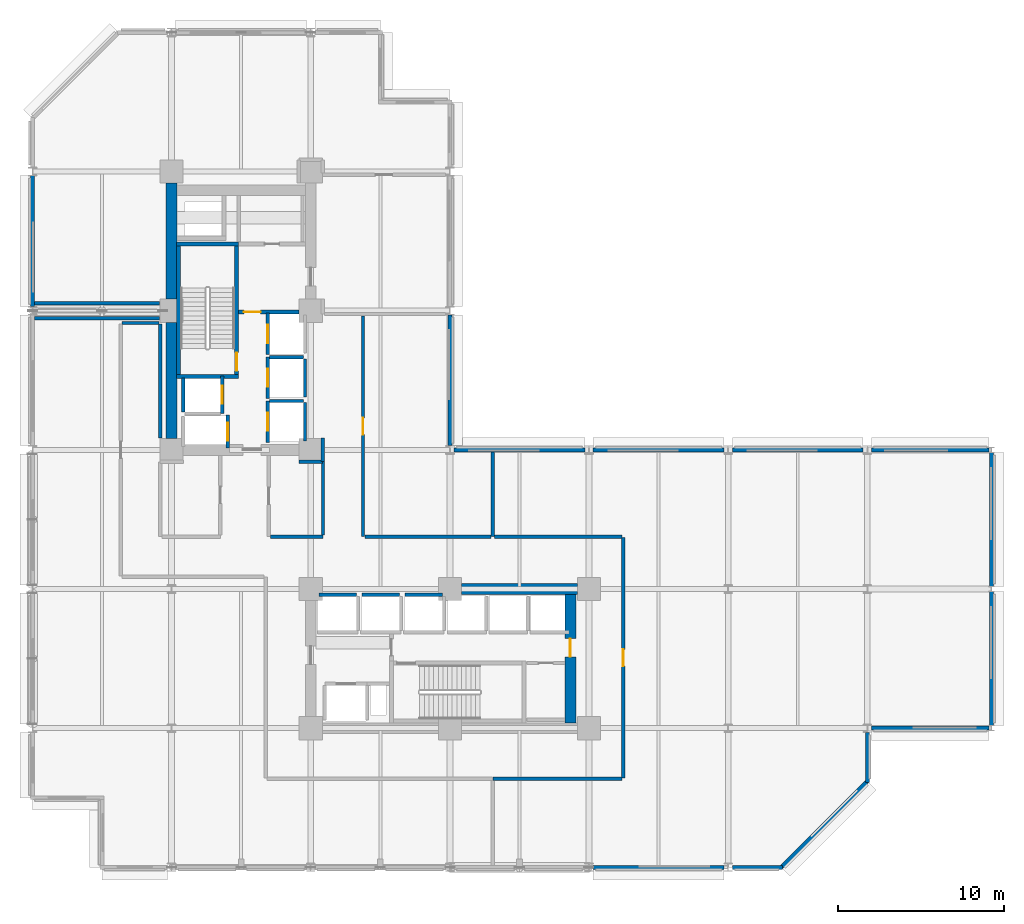
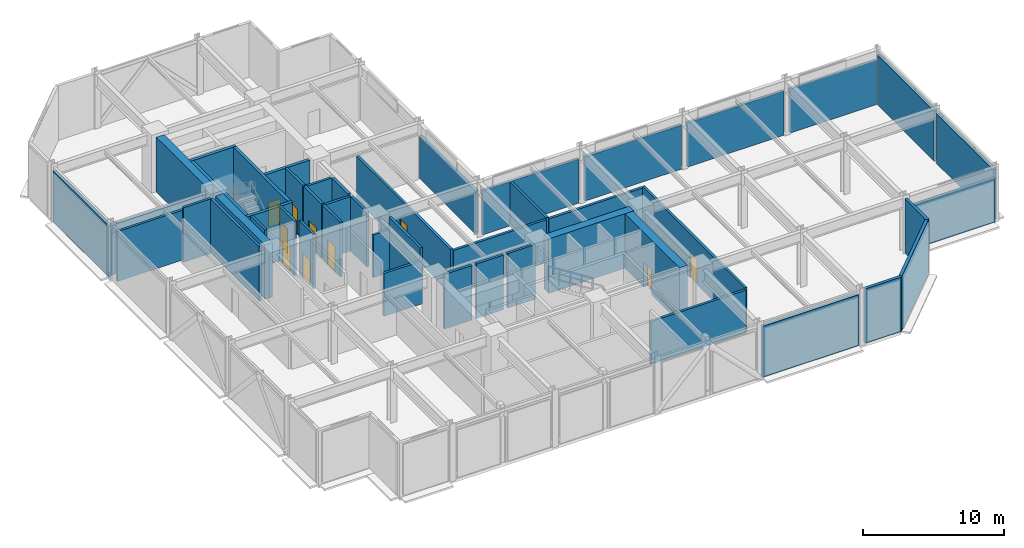
# One storey, part 8 of 13: 49 walls, 10 doors, 10 openings.
"""IFC4 building model written with IfcOpenShell, lengths in metres."""

from ifc_helpers import new_model, si_unit, direction, frame, frame_2d, origin, place, context, subcontext, project, spatial, rectangle, extrude, material, layer, layer_set, type_object, element, fill, save


model = new_model("IFC4")

# Units and contexts
model_context = context("Model", 3, precision=1e-05, world=origin(), true_north=direction((0.0, 1.0)))
body_context = subcontext(model_context, "Body", "Model", "MODEL_VIEW")
ifc_project = project(units=[si_unit("LENGTHUNIT", "METRE"), si_unit("AREAUNIT", "SQUARE_METRE"), si_unit("VOLUMEUNIT", "CUBIC_METRE"), si_unit("PLANEANGLEUNIT", "RADIAN"), si_unit("MASSUNIT", "GRAM", prefix="KILO")], contexts=[model_context])

# Site, building, storey
site_placement = place(None, origin())
site = spatial("IfcSite", under=ifc_project, at=site_placement, CompositionType="ELEMENT")
building_placement = place(site_placement, origin())
building = spatial("IfcBuilding", under=site, at=building_placement, Name="Nerrivon Quay Data Exchange", CompositionType="ELEMENT")
storey_placement = place(building_placement, frame((0.0, 0.0, 79.39990234375)))
storey = spatial("IfcBuildingStorey", under=building, at=storey_placement, Name="L18", CompositionType="ELEMENT", Elevation=79.39990234375)

# Walls
ifc_material_1 = material(Name="Architectural terracotta precast concrete N50 (50 MPa)", Category="masonry")
ifc_layer_1 = layer(ifc_material_1, 0.239990234375)
ifc_layer_set_1 = layer_set([ifc_layer_1], Name="Architectural terracotta precast concrete N50 (50 MPa)")
wall_type_1 = type_object("IfcWallType", Name="EW-PREC-240", PredefinedType="STANDARD", material=ifc_layer_set_1)
wall_1_placement = place(storey_placement, frame((57.89990234375, 25.03662109375, 0.0), z_axis=(0.0, 0.0, 1.0), x_axis=(0.0, -1.0, 0.0)))
element("IfcWall", 1, at=wall_1_placement, inside=storey, type_object=wall_type_1, Name="L18 Plant Enclosure Wall 1", PredefinedType="STANDARD", context=body_context, shape_type="SweptSolid", body=[
    extrude(rectangle(XDim=8.0732421875, YDim=0.239990234375, at=frame_2d((4.03662109375, 0.0))), origin(), (0.0, 0.0, 1.0), 4.322021484375),
])
wall_2_placement = place(storey_placement, frame((57.89990234375, 16.636474609375, 0.0), z_axis=(0.0, 0.0, 1.0), x_axis=(0.0, -1.0, 0.0)))
element("IfcWall", 2, at=wall_2_placement, inside=storey, type_object=wall_type_1, Name="L18 Plant Enclosure Wall 2", PredefinedType="STANDARD", context=body_context, shape_type="SweptSolid", body=[
    extrude(rectangle(XDim=8.072998046875, YDim=0.239990234375, at=frame_2d((4.03662109375, 0.0))), origin(), (0.0, 0.0, 1.0), 4.322021484375),
])
wall_3_placement = place(storey_placement, frame((57.744384765625, 8.39990234375, 0.0), z_axis=(0.0, 0.0, 1.0), x_axis=(-1.0, 0.0, 0.0)))
element("IfcWall", 3, at=wall_3_placement, inside=storey, type_object=wall_type_1, Name="L18 Plant Enclosure Wall 3", PredefinedType="STANDARD", context=body_context, shape_type="SweptSolid", body=[
    extrude(rectangle(XDim=7.094482421875, YDim=0.239990234375, at=frame_2d((3.54736328125, 0.0))), origin(), (0.0, 0.0, 1.0), 3.815185546875),
])
wall_4_placement = place(storey_placement, frame((50.39990234375, 8.14990234375, 0.0), z_axis=(0.0, 0.0, 1.0), x_axis=(0.0, -1.0, 0.0)))
element("IfcWall", 4, at=wall_4_placement, inside=storey, type_object=wall_type_1, Name="L18 Plant Enclosure Wall 4", PredefinedType="STANDARD", context=body_context, shape_type="SweptSolid", body=[
    extrude(rectangle(XDim=3.024658203125, YDim=0.239990234375, at=frame_2d((1.51220703125, 0.0))), origin(), (0.0, 0.0, 1.0), 4.72509765625),
])
wall_5_placement = place(storey_placement, frame((50.452880859375, 5.252685546875, 0.0), z_axis=(0.0, 0.0, 1.0), x_axis=(-0.707123050166, -0.707090511833, 0.0)))
element("IfcWall", 5, at=wall_5_placement, inside=storey, type_object=wall_type_1, Name="L18 Plant Enclosure Wall 5", PredefinedType="STANDARD", context=body_context, shape_type="SweptSolid", body=[
    extrude(rectangle(XDim=7.503173828125, YDim=0.239990234375, at=frame_2d((3.75146484375, 0.0))), origin(), (0.0, 0.0, 1.0), 4.72509765625),
])
wall_6_placement = place(storey_placement, frame((45.274658203125, 0.0, 0.0), z_axis=(0.0, 0.0, 1.0), x_axis=(-1.0, 0.0, 0.0)))
element("IfcWall", 6, at=wall_6_placement, inside=storey, type_object=wall_type_1, Name="L18 Plant Enclosure Wall 6", PredefinedType="STANDARD", context=body_context, shape_type="SweptSolid", body=[
    extrude(rectangle(XDim=3.024658203125, YDim=0.239990234375, at=frame_2d((1.51220703125, 0.0))), origin(), (0.0, 0.0, 1.0), 4.72509765625),
])
for number, where, z_axis, x_axis, name in (
    (7, (41.75, 0.0, 0.0), (0.0, 0.0, 1.0), (-1.0, 0.0, 0.0), "L18 Plant Enclosure Wall 7"),
    (8, (0.0, 33.85009765625, 0.0), (0.0, 0.0, 1.0), (0.0, 1.0, 0.0), "L18 Plant Enclosure Wall 21"),
):
    element("IfcWall", number, at=place(storey_placement, frame(where, z_axis=z_axis, x_axis=x_axis)), inside=storey, type_object=wall_type_1, Name=name, PredefinedType="STANDARD", context=body_context, shape_type="SweptSolid", body=[
        extrude(rectangle(XDim=7.89990234375, YDim=0.239990234375, at=frame_2d((3.949951171875, 0.0))), origin(), (0.0, 0.0, 1.0), 4.425048828125),
    ])
wall_7_placement = place(storey_placement, frame((25.199951171875, 33.35009765625, 0.0), z_axis=(0.0, 0.0, 1.0), x_axis=(0.0, -1.0, 0.0)))
element("IfcWall", 9, at=wall_7_placement, inside=storey, type_object=wall_type_1, Name="L18 Plant Enclosure Wall 31", PredefinedType="STANDARD", context=body_context, shape_type="SweptSolid", body=[
    extrude(rectangle(XDim=7.900146484375, YDim=0.239990234375, at=frame_2d((3.9501953125, 0.0))), origin(), (0.0, 0.0, 1.0), 3.708984375),
])
wall_8_placement = place(storey_placement, frame((25.449951171875, 25.199951171875, 0.0), z_axis=(0.0, 0.0, 1.0), x_axis=(1.0, 0.0, 0.0)))
element("IfcWall", 10, at=wall_8_placement, inside=storey, type_object=wall_type_1, Name="L18 Plant Enclosure Wall 32", PredefinedType="STANDARD", context=body_context, shape_type="SweptSolid", body=[
    extrude(rectangle(XDim=7.900146484375, YDim=0.239990234375, at=frame_2d((3.9501953125, 0.0))), origin(), (0.0, 0.0, 1.0), 3.8251953125),
])
for number, where, z_axis, x_axis, name in (
    (11, (33.85009765625, 25.199951171875, 0.0), (0.0, 0.0, 1.0), (1.0, 0.0, 0.0), "L18 Plant Enclosure Wall 33"),
    (12, (42.25, 25.199951171875, 0.0), (0.0, 0.0, 1.0), (1.0, 0.0, 0.0), "L18 Plant Enclosure Wall 34"),
):
    element("IfcWall", number, at=place(storey_placement, frame(where, z_axis=z_axis, x_axis=x_axis)), inside=storey, type_object=wall_type_1, Name=name, PredefinedType="STANDARD", context=body_context, shape_type="SweptSolid", body=[
        extrude(rectangle(XDim=7.89990234375, YDim=0.239990234375, at=frame_2d((3.949951171875, 0.0))), origin(), (0.0, 0.0, 1.0), 3.8251953125),
    ])
wall_9_placement = place(storey_placement, frame((50.64990234375, 25.199951171875, 0.0), z_axis=(0.0, 0.0, 1.0), x_axis=(1.0, 0.0, 0.0)))
element("IfcWall", 13, at=wall_9_placement, inside=storey, type_object=wall_type_1, Name="L18 Plant Enclosure Wall 35", PredefinedType="STANDARD", context=body_context, shape_type="SweptSolid", body=[
    extrude(rectangle(XDim=7.094482421875, YDim=0.239990234375, at=frame_2d((3.54736328125, 0.0))), origin(), (0.0, 0.0, 1.0), 3.815185546875),
])
ifc_material_2 = material(Name="Concrete N80 (80 MPa)", Category="concrete")
ifc_layer_2 = layer(ifc_material_2, 0.64990234375)
ifc_layer_set_2 = layer_set([ifc_layer_2], Name="Concrete N80 (80 MPa)")
wall_type_2 = type_object("IfcWallType", Name="WALL-CW-850", PredefinedType="SHEAR", material=ifc_layer_set_2)
for number, where, z_axis, x_axis, name in (
    (14, (8.39990234375, 25.89990234375, 0.0), (0.0, 0.0, 1.0), (0.0, 1.0, 0.0), "L18 West Split-Core Shear Wall WCW-W1"),
    (15, (8.39990234375, 34.300048828125, 0.0), (0.0, 0.0, 1.0), (0.0, 1.0, 0.0), "L18 West Split-Core Shear Wall WCW-W2"),
):
    element("IfcWall", number, at=place(storey_placement, frame(where, z_axis=z_axis, x_axis=x_axis)), inside=storey, type_object=wall_type_2, Name=name, PredefinedType="SHEAR", context=body_context, shape_type="SweptSolid", body=[
        extrude(rectangle(XDim=7.0, YDim=0.64990234375, at=frame_2d((3.5, 0.0))), origin(), (0.0, 0.0, 1.0), 4.72509765625),
    ])

# Wall, opening, door
wall_10_placement = place(storey_placement, frame((32.47509765625, 8.72509765625, 0.0), z_axis=(0.0, 0.0, 1.0), x_axis=(0.0, 1.0, 0.0)))
wall_10 = element("IfcWall", 16, at=wall_10_placement, inside=storey, type_object=wall_type_2, Name="L18 East Split-Core Shear Wall ECW-E1", PredefinedType="SHEAR", context=body_context, shape_type="SweptSolid", body=[
    extrude(rectangle(XDim=7.75, YDim=0.64990234375, at=frame_2d((3.875, 0.0))), origin(), (0.0, 0.0, 1.0), 4.72509765625),
])
opening_1_placement = place(wall_10_placement, frame((3.97509765625, 0.0, 0.0)))
opening_1 = element("IfcOpeningElement", 17, at=opening_1_placement, cuts=wall_10, Name="Opening FD-120", PredefinedType="OPENING", context=body_context, shape_type="SweptSolid", body=[
    extrude(rectangle(XDim=1.10009765625, YDim=2.14990234375, at=frame_2d((0.550048828125, 1.074951171875))), frame((0.0, 0.3349609375, 0.0), z_axis=(0.0, -1.0, 0.0), x_axis=(1.0, 0.0, 0.0)), (0.0, 0.0, 1.0), 0.669921875),
])
ifc_material_3 = material(Name="Powder-coated galvanized steel sheet", Category="steel")
door_type_1 = type_object("IfcDoorType", Name="DR-FD120-1100", OperationType="NOTDEFINED", PredefinedType="DOOR", material=ifc_material_3)
door_1_placement = place(opening_1_placement, origin())
door_1 = element("IfcDoor", 18, at=door_1_placement, inside=storey, type_object=door_type_1, Name="L18 East Core Lobby Fire Door", OperationType="SINGLE_SWING_RIGHT", OverallHeight=2.14990234375, OverallWidth=1.10009765625, PredefinedType="DOOR", context=body_context, shape_type="SweptSolid", body=[
    extrude(rectangle(XDim=1.10009765625, YDim=2.14990234375, at=frame_2d((0.550048828125, 1.074951171875))), frame((0.0, 0.02490234375, 0.0), z_axis=(0.0, -1.0, 0.0), x_axis=(1.0, 0.0, 0.0)), (0.0, 0.0, 1.0), 0.050048828125),
])
fill(opening_1, door_1)

# Wall
wall_11_placement = place(storey_placement, frame((25.89990234375, 16.800048828125, 0.0), z_axis=(0.0, 0.0, 1.0), x_axis=(1.0, 0.0, 0.0)))
element("IfcWall", 19, at=wall_11_placement, inside=storey, type_object=wall_type_2, Name="L18 East Split-Core Shear Wall ECW-N1", PredefinedType="SHEAR", context=body_context, shape_type="SweptSolid", body=[
    extrude(rectangle(XDim=7.0, YDim=0.64990234375, at=frame_2d((3.5, 0.0))), origin(), (0.0, 0.0, 1.0), 4.72509765625),
])

# Wall, opening, door
ifc_material_4 = material(Name="Gypsum plasterboard on cold-formed framing", Category="gypsum")
ifc_layer_3 = layer(ifc_material_4, 0.199951171875)
ifc_layer_set_3 = layer_set([ifc_layer_3], Name="Gypsum plasterboard on cold-formed framing")
wall_type_3 = type_object("IfcWallType", Name="WALL-FW-200", PredefinedType="PARTITIONING", material=ifc_layer_set_3)
wall_12_placement = place(storey_placement, frame((11.449951171875, 27.39990234375, 0.0), z_axis=(0.0, 0.0, 1.0), x_axis=(0.0, 1.0, 0.0)))
wall_12 = element("IfcWall", 20, at=wall_12_placement, inside=storey, type_object=wall_type_3, Name="L18 Lift Front Wall FFL-1", PredefinedType="PARTITIONING", context=body_context, shape_type="SweptSolid", body=[
    extrude(rectangle(XDim=2.25, YDim=0.199951171875, at=frame_2d((1.125, 0.0))), origin(), (0.0, 0.0, 1.0), 4.72509765625),
])
opening_2_placement = place(wall_12_placement, frame((0.574951171875, 0.0, 0.0)))
opening_2 = element("IfcOpeningElement", 21, at=opening_2_placement, cuts=wall_12, Name="Opening LD-120", PredefinedType="OPENING", context=body_context, shape_type="SweptSolid", body=[
    extrude(rectangle(XDim=1.10009765625, YDim=2.199951171875, at=frame_2d((0.550048828125, 1.10009765625))), frame((0.0, 0.10986328125, 0.0), z_axis=(0.0, -1.0, 0.0), x_axis=(1.0, 0.0, 0.0)), (0.0, 0.0, 1.0), 0.219970703125),
])
door_type_2 = type_object("IfcDoorType", Name="DR-LIFT-LD120", OperationType="DOUBLE_DOOR_SLIDING", PredefinedType="DOOR", material=ifc_material_3)
door_2_placement = place(opening_2_placement, origin())
door_2 = element("IfcDoor", 22, at=door_2_placement, inside=storey, type_object=door_type_2, Name="L18 Lift Landing Sliding Door FFL-1", OperationType="DOUBLE_DOOR_SLIDING", OverallHeight=2.199951171875, OverallWidth=1.10009765625, PredefinedType="DOOR", context=body_context, shape_type="SweptSolid", body=[
    extrude(rectangle(XDim=1.10009765625, YDim=2.199951171875, at=frame_2d((0.550048828125, 1.10009765625))), frame((0.0, 0.02490234375, 0.0), z_axis=(0.0, -1.0, 0.0), x_axis=(1.0, 0.0, 0.0)), (0.0, 0.0, 1.0), 0.050048828125),
])
fill(opening_2, door_2)

# Wall
wall_13_placement = place(storey_placement, frame((9.10009765625, 27.5, 0.0), z_axis=(0.0, 0.0, 1.0), x_axis=(0.0, 1.0, 0.0)))
element("IfcWall", 23, at=wall_13_placement, inside=storey, type_object=wall_type_3, Name="L18 Lift Shaft Wall FFL-1 WEST", PredefinedType="PARTITIONING", context=body_context, shape_type="SweptSolid", body=[
    extrude(rectangle(XDim=2.050048828125, YDim=0.199951171875, at=frame_2d((1.02490234375, 0.0))), origin(), (0.0, 0.0, 1.0), 4.72509765625),
])

# Wall, opening, door
wall_14_placement = place(storey_placement, frame((11.800048828125, 25.300048828125, 0.0), z_axis=(0.0, 0.0, 1.0), x_axis=(0.0, 1.0, 0.0)))
wall_14 = element("IfcWall", 24, at=wall_14_placement, inside=storey, type_object=wall_type_3, Name="L18 Lift Front Wall SVL-1", PredefinedType="PARTITIONING", context=body_context, shape_type="SweptSolid", body=[
    extrude(rectangle(XDim=2.0, YDim=0.199951171875, at=frame_2d((1.0, 0.0))), origin(), (0.0, 0.0, 1.0), 4.72509765625),
])
opening_3_placement = place(wall_14_placement, frame((0.449951171875, 0.0, 0.0)))
opening_3 = element("IfcOpeningElement", 25, at=opening_3_placement, cuts=wall_14, Name="Opening LD-120", PredefinedType="OPENING", context=body_context, shape_type="SweptSolid", body=[
    extrude(rectangle(XDim=1.10009765625, YDim=2.199951171875, at=frame_2d((0.550048828125, 1.10009765625))), frame((0.0, 0.10986328125, 0.0), z_axis=(0.0, -1.0, 0.0), x_axis=(1.0, 0.0, 0.0)), (0.0, 0.0, 1.0), 0.219970703125),
])
door_3_placement = place(opening_3_placement, origin())
door_3 = element("IfcDoor", 26, at=door_3_placement, inside=storey, type_object=door_type_2, Name="L18 Lift Landing Sliding Door SVL-1", OperationType="DOUBLE_DOOR_SLIDING", OverallHeight=2.199951171875, OverallWidth=1.10009765625, PredefinedType="DOOR", context=body_context, shape_type="SweptSolid", body=[
    extrude(rectangle(XDim=1.10009765625, YDim=2.199951171875, at=frame_2d((0.550048828125, 1.10009765625))), frame((0.0, 0.02490234375, 0.0), z_axis=(0.0, -1.0, 0.0), x_axis=(1.0, 0.0, 0.0)), (0.0, 0.0, 1.0), 0.050048828125),
])
fill(opening_3, door_3)

wall_15_placement = place(storey_placement, frame((14.199951171875, 25.64990234375, 0.0), z_axis=(0.0, 0.0, 1.0), x_axis=(0.0, 1.0, 0.0)))
wall_15 = element("IfcWall", 27, at=wall_15_placement, inside=storey, type_object=wall_type_3, Name="L18 Lift Front Wall PL1", PredefinedType="PARTITIONING", context=body_context, shape_type="SweptSolid", body=[
    extrude(rectangle(XDim=2.5, YDim=0.199951171875, at=frame_2d((1.25, 0.0))), origin(), (0.0, 0.0, 1.0), 4.72509765625),
])
opening_4_placement = place(wall_15_placement, frame((0.699951171875, 0.0, 0.0)))
opening_4 = element("IfcOpeningElement", 28, at=opening_4_placement, cuts=wall_15, Name="Opening LD-120", PredefinedType="OPENING", context=body_context, shape_type="SweptSolid", body=[
    extrude(rectangle(XDim=1.10009765625, YDim=2.199951171875, at=frame_2d((0.550048828125, 1.10009765625))), frame((0.0, 0.10986328125, 0.0), z_axis=(0.0, -1.0, 0.0), x_axis=(1.0, 0.0, 0.0)), (0.0, 0.0, 1.0), 0.219970703125),
])
door_4_placement = place(opening_4_placement, origin())
door_4 = element("IfcDoor", 29, at=door_4_placement, inside=storey, type_object=door_type_2, Name="L18 Lift Landing Sliding Door PL1", OperationType="DOUBLE_DOOR_SLIDING", OverallHeight=2.199951171875, OverallWidth=1.10009765625, PredefinedType="DOOR", context=body_context, shape_type="SweptSolid", body=[
    extrude(rectangle(XDim=1.10009765625, YDim=2.199951171875, at=frame_2d((0.550048828125, 1.10009765625))), frame((0.0, 0.02490234375, 0.0), z_axis=(0.0, -1.0, 0.0), x_axis=(1.0, 0.0, 0.0)), (0.0, 0.0, 1.0), 0.050048828125),
])
fill(opening_4, door_4)

# Walls
wall_16_placement = place(storey_placement, frame((16.449951171875, 25.75, 0.0), z_axis=(0.0, 0.0, 1.0), x_axis=(0.0, 1.0, 0.0)))
element("IfcWall", 30, at=wall_16_placement, inside=storey, type_object=wall_type_3, Name="L18 Lift Shaft Wall PL1 EAST", PredefinedType="PARTITIONING", context=body_context, shape_type="SweptSolid", body=[
    extrude(rectangle(XDim=2.300048828125, YDim=0.199951171875, at=frame_2d((1.14990234375, 0.0))), origin(), (0.0, 0.0, 1.0), 4.72509765625),
])
wall_17_placement = place(storey_placement, frame((14.300048828125, 28.14990234375, 0.0), z_axis=(0.0, 0.0, 1.0), x_axis=(1.0, 0.0, 0.0)))
element("IfcWall", 31, at=wall_17_placement, inside=storey, type_object=wall_type_3, Name="L18 Lift Shaft Wall PL1 NORTH", PredefinedType="PARTITIONING", context=body_context, shape_type="SweptSolid", body=[
    extrude(rectangle(XDim=2.050048828125, YDim=0.199951171875, at=frame_2d((1.02490234375, 0.0))), origin(), (0.0, 0.0, 1.0), 4.72509765625),
])

# Wall, opening, door
wall_18_placement = place(storey_placement, frame((14.199951171875, 28.300048828125, 0.0), z_axis=(0.0, 0.0, 1.0), x_axis=(0.0, 1.0, 0.0)))
wall_18 = element("IfcWall", 32, at=wall_18_placement, inside=storey, type_object=wall_type_3, Name="L18 Lift Front Wall PL2", PredefinedType="PARTITIONING", context=body_context, shape_type="SweptSolid", body=[
    extrude(rectangle(XDim=2.5, YDim=0.199951171875, at=frame_2d((1.25, 0.0))), origin(), (0.0, 0.0, 1.0), 4.72509765625),
])
opening_5_placement = place(wall_18_placement, frame((0.699951171875, 0.0, 0.0)))
opening_5 = element("IfcOpeningElement", 33, at=opening_5_placement, cuts=wall_18, Name="Opening LD-120", PredefinedType="OPENING", context=body_context, shape_type="SweptSolid", body=[
    extrude(rectangle(XDim=1.10009765625, YDim=2.199951171875, at=frame_2d((0.550048828125, 1.10009765625))), frame((0.0, 0.10986328125, 0.0), z_axis=(0.0, -1.0, 0.0), x_axis=(1.0, 0.0, 0.0)), (0.0, 0.0, 1.0), 0.219970703125),
])
door_5_placement = place(opening_5_placement, origin())
door_5 = element("IfcDoor", 34, at=door_5_placement, inside=storey, type_object=door_type_2, Name="L18 Lift Landing Sliding Door PL2", OperationType="DOUBLE_DOOR_SLIDING", OverallHeight=2.199951171875, OverallWidth=1.10009765625, PredefinedType="DOOR", context=body_context, shape_type="SweptSolid", body=[
    extrude(rectangle(XDim=1.10009765625, YDim=2.199951171875, at=frame_2d((0.550048828125, 1.10009765625))), frame((0.0, 0.02490234375, 0.0), z_axis=(0.0, -1.0, 0.0), x_axis=(1.0, 0.0, 0.0)), (0.0, 0.0, 1.0), 0.050048828125),
])
fill(opening_5, door_5)

# Walls
wall_19_placement = place(storey_placement, frame((16.449951171875, 28.39990234375, 0.0), z_axis=(0.0, 0.0, 1.0), x_axis=(0.0, 1.0, 0.0)))
element("IfcWall", 35, at=wall_19_placement, inside=storey, type_object=wall_type_3, Name="L18 Lift Shaft Wall PL2 EAST", PredefinedType="PARTITIONING", context=body_context, shape_type="SweptSolid", body=[
    extrude(rectangle(XDim=2.300048828125, YDim=0.199951171875, at=frame_2d((1.14990234375, 0.0))), origin(), (0.0, 0.0, 1.0), 4.72509765625),
])
wall_20_placement = place(storey_placement, frame((14.300048828125, 30.800048828125, 0.0), z_axis=(0.0, 0.0, 1.0), x_axis=(1.0, 0.0, 0.0)))
element("IfcWall", 36, at=wall_20_placement, inside=storey, type_object=wall_type_3, Name="L18 Lift Shaft Wall PL2 NORTH", PredefinedType="PARTITIONING", context=body_context, shape_type="SweptSolid", body=[
    extrude(rectangle(XDim=2.050048828125, YDim=0.199951171875, at=frame_2d((1.02490234375, 0.0))), origin(), (0.0, 0.0, 1.0), 4.72509765625),
])

# Wall, opening, door
wall_21_placement = place(storey_placement, frame((14.199951171875, 30.949951171875, 0.0), z_axis=(0.0, 0.0, 1.0), x_axis=(0.0, 1.0, 0.0)))
wall_21 = element("IfcWall", 37, at=wall_21_placement, inside=storey, type_object=wall_type_3, Name="L18 Lift Front Wall PL3", PredefinedType="PARTITIONING", context=body_context, shape_type="SweptSolid", body=[
    extrude(rectangle(XDim=2.5, YDim=0.199951171875, at=frame_2d((1.25, 0.0))), origin(), (0.0, 0.0, 1.0), 4.72509765625),
])
opening_6_placement = place(wall_21_placement, frame((0.699951171875, 0.0, 0.0)))
opening_6 = element("IfcOpeningElement", 38, at=opening_6_placement, cuts=wall_21, Name="Opening LD-120", PredefinedType="OPENING", context=body_context, shape_type="SweptSolid", body=[
    extrude(rectangle(XDim=1.10009765625, YDim=2.199951171875, at=frame_2d((0.550048828125, 1.10009765625))), frame((0.0, 0.10986328125, 0.0), z_axis=(0.0, -1.0, 0.0), x_axis=(1.0, 0.0, 0.0)), (0.0, 0.0, 1.0), 0.219970703125),
])
door_6_placement = place(opening_6_placement, origin())
door_6 = element("IfcDoor", 39, at=door_6_placement, inside=storey, type_object=door_type_2, Name="L18 Lift Landing Sliding Door PL3", OperationType="DOUBLE_DOOR_SLIDING", OverallHeight=2.199951171875, OverallWidth=1.10009765625, PredefinedType="DOOR", context=body_context, shape_type="SweptSolid", body=[
    extrude(rectangle(XDim=1.10009765625, YDim=2.199951171875, at=frame_2d((0.550048828125, 1.10009765625))), frame((0.0, 0.02490234375, 0.0), z_axis=(0.0, -1.0, 0.0), x_axis=(1.0, 0.0, 0.0)), (0.0, 0.0, 1.0), 0.050048828125),
])
fill(opening_6, door_6)

# Walls
for number, where, z_axis, x_axis, name in (
    (40, (17.300048828125, 16.449951171875, 0.0), (0.0, 0.0, 1.0), (1.0, 0.0, 0.0), "L18 Lift Shaft Wall PL4 NORTH"),
    (41, (19.89990234375, 16.449951171875, 0.0), (0.0, 0.0, 1.0), (1.0, 0.0, 0.0), "L18 Lift Shaft Wall PL5 NORTH"),
    (42, (22.5, 16.449951171875, 0.0), (0.0, 0.0, 1.0), (1.0, 0.0, 0.0), "L18 Lift Shaft Wall PL6 NORTH"),
):
    element("IfcWall", number, at=place(storey_placement, frame(where, z_axis=z_axis, x_axis=x_axis)), inside=storey, type_object=wall_type_3, Name=name, PredefinedType="PARTITIONING", context=body_context, shape_type="SweptSolid", body=[
        extrude(rectangle(XDim=2.25, YDim=0.199951171875, at=frame_2d((1.125, 0.0))), origin(), (0.0, 0.0, 1.0), 4.72509765625),
    ])
wall_22_placement = place(storey_placement, frame((27.7958984375, 25.075927734375, 0.0), z_axis=(0.0, 0.0, 1.0), x_axis=(0.0, -1.0, 0.0)))
element("IfcWall", 43, at=wall_22_placement, inside=storey, type_object=wall_type_3, Name="L18 Partition Standby Generator Hall", PredefinedType="PARTITIONING", context=body_context, shape_type="SweptSolid", body=[
    extrude(rectangle(XDim=5.115966796875, YDim=0.199951171875, at=frame_2d((2.55810546875, 0.0))), origin(), (0.0, 0.0, 1.0), 3.8251953125),
])
wall_23_placement = place(storey_placement, frame((27.89990234375, 19.9599609375, 0.0), z_axis=(0.0, 0.0, 1.0), x_axis=(1.0, 0.0, 0.0)))
element("IfcWall", 44, at=wall_23_placement, inside=storey, type_object=wall_type_3, Name="L18 Partition Standby Generator Hall", PredefinedType="PARTITIONING", context=body_context, shape_type="SweptSolid", body=[
    extrude(rectangle(XDim=7.7001953125, YDim=0.199951171875, at=frame_2d((3.85009765625, 0.0))), origin(), (0.0, 0.0, 1.0), 3.708984375),
])

# Wall, opening, door
wall_24_placement = place(storey_placement, frame((35.659912109375, 19.89990234375, 0.0), z_axis=(0.0, 0.0, 1.0), x_axis=(0.0, -1.0, 0.0)))
wall_24 = element("IfcWall", 45, at=wall_24_placement, inside=storey, type_object=wall_type_3, Name="L18 Partition Standby Generator Hall", PredefinedType="PARTITIONING", context=body_context, shape_type="SweptSolid", body=[
    extrude(rectangle(XDim=14.5, YDim=0.199951171875, at=frame_2d((7.25, 0.0))), origin(), (0.0, 0.0, 1.0), 3.8251953125),
])
opening_7_placement = place(wall_24_placement, frame((6.75, 0.0, 0.0)))
opening_7 = element("IfcOpeningElement", 46, at=opening_7_placement, cuts=wall_24, Name="Opening FD-60", PredefinedType="OPENING", context=body_context, shape_type="SweptSolid", body=[
    extrude(rectangle(XDim=1.0, YDim=2.14990234375, at=frame_2d((0.5, 1.074951171875))), frame((0.0, 0.10986328125, 0.0), z_axis=(0.0, -1.0, 0.0), x_axis=(1.0, 0.0, 0.0)), (0.0, 0.0, 1.0), 0.219970703125),
])
ifc_material_5 = material(Name="Engineered hardwood timber", Category="wood")
door_type_3 = type_object("IfcDoorType", Name="DR-FD60-1000", OperationType="NOTDEFINED", PredefinedType="DOOR", material=ifc_material_5)
door_7_placement = place(opening_7_placement, origin())
door_7 = element("IfcDoor", 47, at=door_7_placement, inside=storey, type_object=door_type_3, Name="L18 Door Standby Generator Hall", OperationType="SINGLE_SWING_RIGHT", OverallHeight=2.14990234375, OverallWidth=1.0, PredefinedType="DOOR", context=body_context, shape_type="SweptSolid", body=[
    extrude(rectangle(XDim=1.0, YDim=2.14990234375, at=frame_2d((0.5, 1.074951171875))), frame((0.0, 0.02490234375, 0.0), z_axis=(0.0, -1.0, 0.0), x_axis=(1.0, 0.0, 0.0)), (0.0, 0.0, 1.0), 0.050048828125),
])
fill(opening_7, door_7)

# Walls
wall_25_placement = place(storey_placement, frame((35.60009765625, 5.340087890625, 0.0), z_axis=(0.0, 0.0, 1.0), x_axis=(-1.0, 0.0, 0.0)))
element("IfcWall", 48, at=wall_25_placement, inside=storey, type_object=wall_type_3, Name="L18 Partition Standby Generator Hall", PredefinedType="PARTITIONING", context=body_context, shape_type="SweptSolid", body=[
    extrude(rectangle(XDim=7.80419921875, YDim=0.199951171875, at=frame_2d((3.902099609375, 0.0))), origin(), (0.0, 0.0, 1.0), 3.708984375),
])
wall_26_placement = place(storey_placement, frame((5.39990234375, 32.860107421875, 0.0), z_axis=(0.0, 0.0, 1.0), x_axis=(1.0, 0.0, 0.0)))
element("IfcWall", 49, at=wall_26_placement, inside=storey, type_object=wall_type_3, Name="L18 Partition Chiller Plant Room", PredefinedType="PARTITIONING", context=body_context, shape_type="SweptSolid", body=[
    extrude(rectangle(XDim=2.25, YDim=0.199951171875, at=frame_2d((1.125, 0.0))), origin(), (0.0, 0.0, 1.0), 4.72509765625),
])
wall_27_placement = place(storey_placement, frame((7.7099609375, 32.800048828125, 0.0), z_axis=(0.0, 0.0, 1.0), x_axis=(0.0, -1.0, 0.0)))
element("IfcWall", 50, at=wall_27_placement, inside=storey, type_object=wall_type_3, Name="L18 Partition Chiller Plant Room", PredefinedType="PARTITIONING", context=body_context, shape_type="SweptSolid", body=[
    extrude(rectangle(XDim=6.880126953125, YDim=0.199951171875, at=frame_2d((3.43994140625, 0.0))), origin(), (0.0, 0.0, 1.0), 4.72509765625),
])
for number, where, z_axis, x_axis, name in (
    (51, (7.679931640625, 33.14990234375, 0.0), (0.0, 0.0, 1.0), (-1.0, 0.0, 0.0), "L18 Partition Chiller Plant Room"),
    (52, (0.1240234375, 34.050048828125, 0.0), (0.0, 0.0, 1.0), (1.0, 0.0, 0.0), "L18 Partition Primary AHU Ventilation Room"),
):
    element("IfcWall", number, at=place(storey_placement, frame(where, z_axis=z_axis, x_axis=x_axis)), inside=storey, type_object=wall_type_3, Name=name, PredefinedType="PARTITIONING", context=body_context, shape_type="SweptSolid", body=[
        extrude(rectangle(XDim=7.555908203125, YDim=0.199951171875, at=frame_2d((3.77783203125, 0.0))), origin(), (0.0, 0.0, 1.0), 4.322021484375),
    ])

# Wall, opening, door
wall_28_placement = place(storey_placement, frame((19.9599609375, 33.2958984375, 0.0), z_axis=(0.0, 0.0, 1.0), x_axis=(0.0, -1.0, 0.0)))
wall_28 = element("IfcWall", 53, at=wall_28_placement, inside=storey, type_object=wall_type_3, Name="L18 Partition Fire & Chilled Water Pump Room", PredefinedType="PARTITIONING", context=body_context, shape_type="SweptSolid", body=[
    extrude(rectangle(XDim=13.3359375, YDim=0.199951171875, at=frame_2d((6.66796875, 0.0))), origin(), (0.0, 0.0, 1.0), 3.8251953125),
])
opening_8_placement = place(wall_28_placement, frame((6.16796875, 0.0, 0.0)))
opening_8 = element("IfcOpeningElement", 54, at=opening_8_placement, cuts=wall_28, Name="Opening FD-60", PredefinedType="OPENING", context=body_context, shape_type="SweptSolid", body=[
    extrude(rectangle(XDim=1.0, YDim=2.14990234375, at=frame_2d((0.5, 1.074951171875))), frame((0.0, 0.10986328125, 0.0), z_axis=(0.0, -1.0, 0.0), x_axis=(1.0, 0.0, 0.0)), (0.0, 0.0, 1.0), 0.219970703125),
])
door_8_placement = place(opening_8_placement, origin())
door_8 = element("IfcDoor", 55, at=door_8_placement, inside=storey, type_object=door_type_3, Name="L18 Door Fire & Chilled Water Pump Room", OperationType="SINGLE_SWING_RIGHT", OverallHeight=2.14990234375, OverallWidth=1.0, PredefinedType="DOOR", context=body_context, shape_type="SweptSolid", body=[
    extrude(rectangle(XDim=1.0, YDim=2.14990234375, at=frame_2d((0.5, 1.074951171875))), frame((0.0, 0.02490234375, 0.0), z_axis=(0.0, -1.0, 0.0), x_axis=(1.0, 0.0, 0.0)), (0.0, 0.0, 1.0), 0.050048828125),
])
fill(opening_8, door_8)

# Walls
wall_29_placement = place(storey_placement, frame((20.06396484375, 19.9599609375, 0.0), z_axis=(0.0, 0.0, 1.0), x_axis=(1.0, 0.0, 0.0)))
element("IfcWall", 56, at=wall_29_placement, inside=storey, type_object=wall_type_3, Name="L18 Partition Fire & Chilled Water Pump Room", PredefinedType="PARTITIONING", context=body_context, shape_type="SweptSolid", body=[
    extrude(rectangle(XDim=7.6279296875, YDim=0.199951171875, at=frame_2d((3.81396484375, 0.0))), origin(), (0.0, 0.0, 1.0), 3.708984375),
])
wall_30_placement = place(storey_placement, frame((17.51953125, 25.90380859375, 0.0), z_axis=(0.0, 0.0, 1.0), x_axis=(0.000347826066, -0.999999939509, 0.0)))
element("IfcWall", 57, at=wall_30_placement, inside=storey, type_object=wall_type_3, Name="L18 Partition HV Transformer Switchroom", PredefinedType="PARTITIONING", context=body_context, shape_type="SweptSolid", body=[
    extrude(rectangle(XDim=1.40380859375, YDim=0.199951171875, at=frame_2d((0.701904296875, 0.0))), origin(), (0.0, 0.0, 1.0), 3.8251953125),
])
wall_31_placement = place(storey_placement, frame((17.5, 24.47998046875, 0.0), z_axis=(0.0, 0.0, 1.0), x_axis=(-0.999999758706, 0.000694685487, 0.0)))
element("IfcWall", 58, at=wall_31_placement, inside=storey, type_object=wall_type_3, Name="L18 Partition HV Transformer Switchroom", PredefinedType="PARTITIONING", context=body_context, shape_type="SweptSolid", body=[
    extrude(rectangle(XDim=1.40576171875, YDim=0.199951171875, at=frame_2d((0.702880859375, 0.0))), origin(), (0.0, 0.0, 1.0), 3.708984375),
])
wall_32_placement = place(storey_placement, frame((14.364013671875, 19.9599609375, 0.0), z_axis=(0.0, 0.0, 1.0), x_axis=(1.0, 0.0, 0.0)))
element("IfcWall", 59, at=wall_32_placement, inside=storey, type_object=wall_type_3, Name="L18 Partition HV Transformer Switchroom", PredefinedType="PARTITIONING", context=body_context, shape_type="SweptSolid", body=[
    extrude(rectangle(XDim=3.176025390625, YDim=0.199951171875, at=frame_2d((1.587890625, 0.0))), origin(), (0.0, 0.0, 1.0), 3.708984375),
])
wall_33_placement = place(storey_placement, frame((17.5400390625, 20.06396484375, 0.0), z_axis=(0.0, 0.0, 1.0), x_axis=(0.0, 1.0, 0.0)))
element("IfcWall", 60, at=wall_33_placement, inside=storey, type_object=wall_type_3, Name="L18 Partition HV Transformer Switchroom", PredefinedType="PARTITIONING", context=body_context, shape_type="SweptSolid", body=[
    extrude(rectangle(XDim=4.43603515625, YDim=0.199951171875, at=frame_2d((2.218017578125, 0.0))), origin(), (0.0, 0.0, 1.0), 4.72509765625),
])
ifc_material_6 = material(Name="Concrete N50 (50 MPa)", Category="concrete")
ifc_layer_4 = layer(ifc_material_6, 0.25)
ifc_layer_set_4 = layer_set([ifc_layer_4], Name="Concrete N50 (50 MPa)")
wall_type_4 = type_object("IfcWallType", Name="WALL-SW-250", PredefinedType="SHEAR", material=ifc_layer_set_4)
for number, where, z_axis, x_axis, name in (
    (61, (12.449951171875, 29.625, 0.0), (0.0, 0.0, 1.0), (-1.0, 0.0, 0.0), "L18 ST01 Structural Stair Core Wall NEAR"),
    (62, (12.449951171875, 37.625, 0.0), (0.0, 0.0, 1.0), (-1.0, 0.0, 0.0), "L18 ST01 Structural Stair Core Wall FAR"),
):
    element("IfcWall", number, at=place(storey_placement, frame(where, z_axis=z_axis, x_axis=x_axis)), inside=storey, type_object=wall_type_4, Name=name, PredefinedType="SHEAR", context=body_context, shape_type="SweptSolid", body=[
        extrude(rectangle(XDim=3.75, YDim=0.25, at=frame_2d((1.875, 0.0))), origin(), (0.0, 0.0, 1.0), 4.72509765625),
    ])

# Wall, opening, door
wall_34_placement = place(storey_placement, frame((12.324951171875, 29.75, 0.0), z_axis=(0.0, 0.0, 1.0), x_axis=(0.0, 1.0, 0.0)))
wall_34 = element("IfcWall", 63, at=wall_34_placement, inside=storey, type_object=wall_type_4, Name="L18 ST01 Structural Stair Core Wall LEFT", PredefinedType="SHEAR", context=body_context, shape_type="SweptSolid", body=[
    extrude(rectangle(XDim=7.75, YDim=0.25, at=frame_2d((3.875, 0.0))), origin(), (0.0, 0.0, 1.0), 4.72509765625),
])
opening_9_placement = place(wall_34_placement, frame((0.219970703125, 0.0, 0.0)))
opening_9 = element("IfcOpeningElement", 64, at=opening_9_placement, cuts=wall_34, Name="Opening FD-120", PredefinedType="OPENING", context=body_context, shape_type="SweptSolid", body=[
    extrude(rectangle(XDim=1.10009765625, YDim=2.14990234375, at=frame_2d((0.550048828125, 1.074951171875))), frame((0.0, 0.135009765625, 0.0), z_axis=(0.0, -1.0, 0.0), x_axis=(1.0, 0.0, 0.0)), (0.0, 0.0, 1.0), 0.27001953125),
])
door_9_placement = place(opening_9_placement, origin())
door_9 = element("IfcDoor", 65, at=door_9_placement, inside=storey, type_object=door_type_1, Name="L18 Protected Stair Door ST01", OperationType="SINGLE_SWING_RIGHT", OverallHeight=2.14990234375, OverallWidth=1.10009765625, PredefinedType="DOOR", context=body_context, shape_type="SweptSolid", body=[
    extrude(rectangle(XDim=1.10009765625, YDim=2.14990234375, at=frame_2d((0.550048828125, 1.074951171875))), frame((0.0, 0.02490234375, 0.0), z_axis=(0.0, -1.0, 0.0), x_axis=(1.0, 0.0, 0.0)), (0.0, 0.0, 1.0), 0.050048828125),
])
fill(opening_9, door_9)

# Wall
wall_35_placement = place(storey_placement, frame((8.824951171875, 29.75, 0.0), z_axis=(0.0, 0.0, 1.0), x_axis=(0.0, 1.0, 0.0)))
element("IfcWall", 66, at=wall_35_placement, inside=storey, type_object=wall_type_4, Name="L18 ST01 Structural Stair Core Wall RIGHT", PredefinedType="SHEAR", context=body_context, shape_type="SweptSolid", body=[
    extrude(rectangle(XDim=7.75, YDim=0.25, at=frame_2d((3.875, 0.0))), origin(), (0.0, 0.0, 1.0), 4.72509765625),
])

# Wall, opening, door
wall_36_placement = place(storey_placement, frame((12.449951171875, 33.52001953125, 0.0), z_axis=(0.0, 0.0, 1.0), x_axis=(1.0, 0.0, 0.0)))
wall_36 = element("IfcWall", 67, at=wall_36_placement, inside=storey, type_object=wall_type_4, Name="L18 West Lobby Smoke-Stop Wall", PredefinedType="SHEAR", context=body_context, shape_type="SweptSolid", body=[
    extrude(rectangle(XDim=3.650146484375, YDim=0.25, at=frame_2d((1.8251953125, 0.0))), origin(), (0.0, 0.0, 1.0), 4.72509765625),
])
opening_10_placement = place(wall_36_placement, frame((0.320068359375, 0.0, 0.0)))
opening_10 = element("IfcOpeningElement", 68, at=opening_10_placement, cuts=wall_36, Name="Opening FD-60", PredefinedType="OPENING", context=body_context, shape_type="SweptSolid", body=[
    extrude(rectangle(XDim=1.0, YDim=2.14990234375, at=frame_2d((0.5, 1.074951171875))), frame((0.0, 0.135009765625, 0.0), z_axis=(0.0, -1.0, 0.0), x_axis=(1.0, 0.0, 0.0)), (0.0, 0.0, 1.0), 0.27001953125),
])
door_10_placement = place(opening_10_placement, origin())
door_10 = element("IfcDoor", 69, at=door_10_placement, inside=storey, type_object=door_type_3, Name="L18 West Firefighting Lobby Fire Door", OperationType="SINGLE_SWING_RIGHT", OverallHeight=2.14990234375, OverallWidth=1.0, PredefinedType="DOOR", context=body_context, shape_type="SweptSolid", body=[
    extrude(rectangle(XDim=1.0, YDim=2.14990234375, at=frame_2d((0.5, 1.074951171875))), frame((0.0, 0.02490234375, 0.0), z_axis=(0.0, -1.0, 0.0), x_axis=(1.0, 0.0, 0.0)), (0.0, 0.0, 1.0), 0.050048828125),
])
fill(opening_10, door_10)

save(model, "model.ifc")
